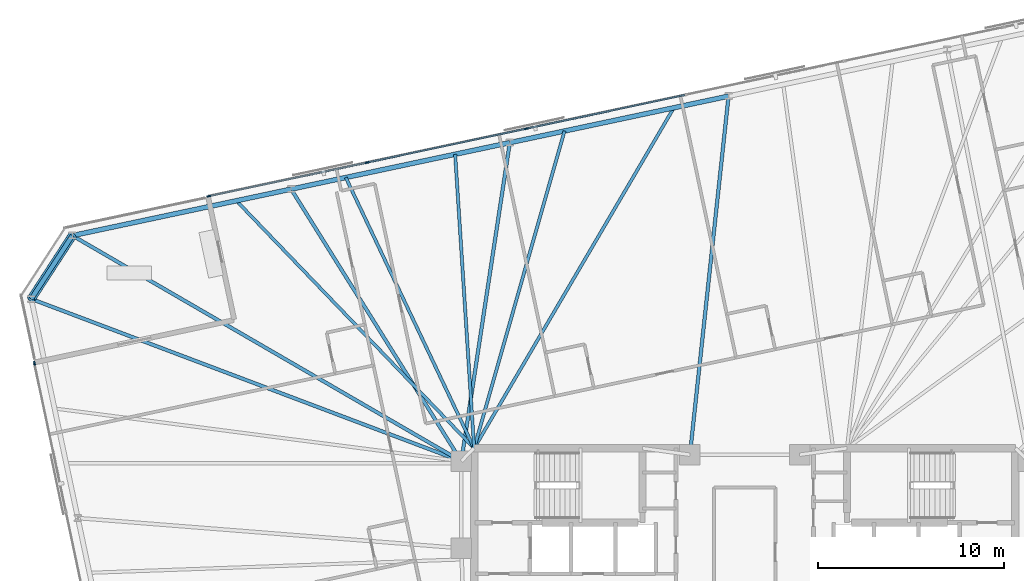
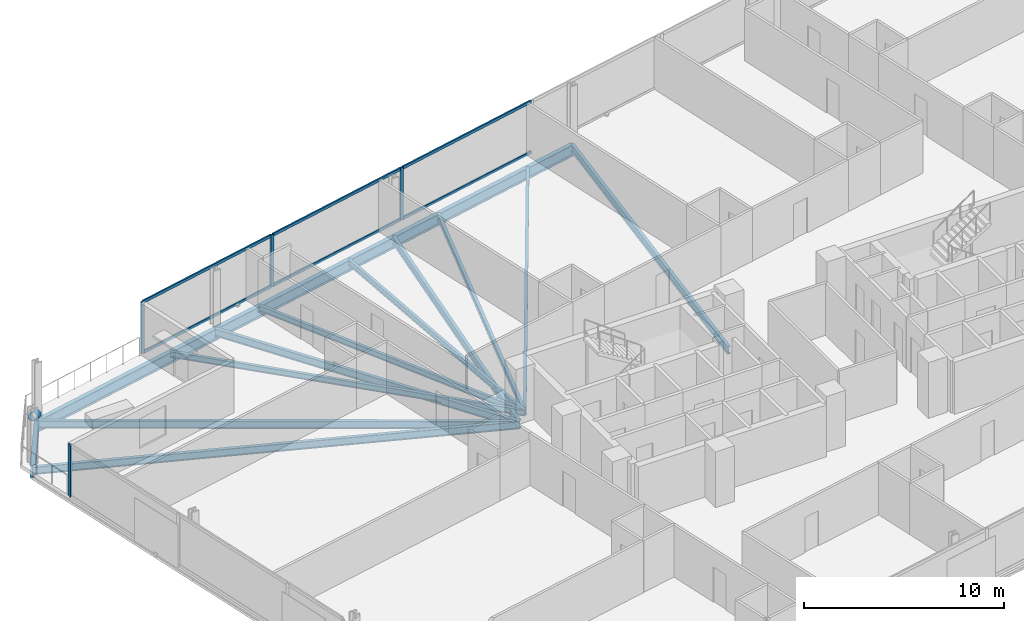
# One storey, part 10 of 20: 14 beams, 11 members, 2 elements without a shape of their own.
"""IFC4 building model written with IfcOpenShell, lengths in metres."""

import ifcopenshell
import ifcopenshell.guid

model = None  # the IFC model being written
_history = None  # IfcOwnerHistory: only IFC2X3 demands one
_inside = {}  # id of a spatial element -> (the spatial element, [elements in it])
_under = {}  # id of a project, library or spatial element -> (it, [spatial elements below it])
_declared = {}  # id of a project -> (the project, [libraries it declares])
_typed = {}  # id of a type object -> (the type object, [elements of that type])
_made_of = {}  # id of a material, layer set ... -> (it, [elements and type objects made of it])


def new_model(schema):
    """Start an empty IFC model of exactly this schema.

    Asked for "IFC4X3", IfcOpenShell would pick the latest addendum, in which some entities
    have other attributes; the version numbers below select the first issue.
    IFC2X3 requires an IfcOwnerHistory on every rooted entity: one is made here for all.
    """
    global model, _history
    if schema == "IFC4X3":
        model = ifcopenshell.file(schema_version=(4, 3, 0, 0))
    else:
        model = ifcopenshell.file(schema=schema)
    _inside.clear()
    _under.clear()
    _declared.clear()
    _typed.clear()
    _made_of.clear()
    _history = None
    if model.schema == "IFC2X3":
        org = make("IfcOrganization", Name="unknown")
        user = make(
            "IfcPersonAndOrganization",
            ThePerson=make("IfcPerson", FamilyName="unknown"),
            TheOrganization=org,
        )
        app = make(
            "IfcApplication",
            ApplicationDeveloper=org,
            Version="unknown",
            ApplicationFullName="unknown",
            ApplicationIdentifier="unknown",
        )
        _history = make(
            "IfcOwnerHistory",
            OwningUser=user,
            OwningApplication=app,
            ChangeAction="ADDED",
            CreationDate=0,
        )
    return model


def make(cls, **values):
    """One entity of the class cls with the attributes given. An attribute that is None is left unset."""
    return model.create_entity(
        cls, **{name: value for name, value in values.items() if value is not None}
    )


def rooted(cls, **values):
    """An entity with a GlobalId (a new one), such as an element, a storey or a relation."""
    return make(cls, GlobalId=ifcopenshell.guid.new(), OwnerHistory=_history, **values)


def si_unit(unit_type, name, prefix=None):
    """IfcSIUnit, for example si_unit("LENGTHUNIT", "METRE", prefix="MILLI")."""
    return make("IfcSIUnit", UnitType=unit_type, Prefix=prefix, Name=name)


def assignment(units):
    """IfcUnitAssignment: the units of a project."""
    return None if units is None else make("IfcUnitAssignment", Units=units)


def point(xyz):
    """IfcCartesianPoint."""
    return None if xyz is None else make("IfcCartesianPoint", Coordinates=xyz)


def direction(xyz):
    """IfcDirection."""
    return None if xyz is None else make("IfcDirection", DirectionRatios=xyz)


def frame(location, z_axis=None, x_axis=None):
    """IfcAxis2Placement3D, a coordinate frame: its origin and axes. An axis left out is left unset."""
    return make(
        "IfcAxis2Placement3D",
        Location=point(location),
        Axis=direction(z_axis),
        RefDirection=direction(x_axis),
    )


def frame_2d(location, x_axis=None):
    """IfcAxis2Placement2D, a coordinate frame in the plane: its origin and x axis."""
    return make(
        "IfcAxis2Placement2D", Location=point(location), RefDirection=direction(x_axis)
    )


def origin():
    """The frame at (0, 0, 0) with its axes left unset."""
    return frame((0.0, 0.0, 0.0))


def origin_2d():
    """The frame at (0, 0) in the plane with its x axis left unset."""
    return frame_2d((0.0, 0.0))


def place(relative_to, where):
    """IfcLocalPlacement: puts the frame where relative to a parent placement (None: the world)."""
    return make(
        "IfcLocalPlacement", PlacementRelTo=relative_to, RelativePlacement=where
    )


def context(
    kind, dimensions, precision=None, world=None, true_north=None, identifier=None
):
    """IfcGeometricRepresentationContext, for example the 3D "Model" context."""
    return make(
        "IfcGeometricRepresentationContext",
        ContextIdentifier=identifier,
        ContextType=kind,
        CoordinateSpaceDimension=dimensions,
        Precision=precision,
        WorldCoordinateSystem=world,
        TrueNorth=true_north,
    )


def subcontext(parent, identifier, kind, view, scale=None):
    """IfcGeometricRepresentationSubContext, for example "Body" below "Model"."""
    return make(
        "IfcGeometricRepresentationSubContext",
        ContextIdentifier=identifier,
        ContextType=kind,
        ParentContext=parent,
        TargetScale=scale,
        TargetView=view,
    )


def project(units=None, contexts=None):
    """IfcProject with its units and contexts."""
    return rooted(
        "IfcProject",
        Name="project",
        RepresentationContexts=contexts,
        UnitsInContext=assignment(units),
    )


def spatial(cls, under=None, at=None, **own):
    """A site, building, storey or space (cls), placed at a placement, below another one or the project."""
    s = rooted(cls, ObjectPlacement=at, **own)
    if under is not None:
        _under.setdefault(under.id(), (under, []))[1].append(s)
    return s


def profile(cls, at=None, kind="AREA", **sizes):
    """A parametric profile (cls). Its sizes go by their IFC names, for example OverallWidth=200.0."""
    return make(cls, ProfileType=kind, Position=at, **sizes)


def rectangle(**sizes):
    """IfcRectangleProfileDef."""
    return profile("IfcRectangleProfileDef", **sizes)


def hollow_circle(**sizes):
    """IfcCircleHollowProfileDef."""
    return profile("IfcCircleHollowProfileDef", **sizes)


def i_section(**sizes):
    """IfcIShapeProfileDef."""
    return profile("IfcIShapeProfileDef", **sizes)


def extrude(swept, where, along, depth):
    """IfcExtrudedAreaSolid: the profile swept, set in the frame where, extruded along a direction by depth."""
    return make(
        "IfcExtrudedAreaSolid",
        SweptArea=swept,
        Position=where,
        ExtrudedDirection=direction(along),
        Depth=depth,
    )


def shape(context_of_items, identifier, shape_type, items):
    """IfcShapeRepresentation: the items that make up one representation, for example the "Body"."""
    return make(
        "IfcShapeRepresentation",
        ContextOfItems=context_of_items,
        RepresentationIdentifier=identifier,
        RepresentationType=shape_type,
        Items=items,
    )


def material(Name=None, Category=None):
    """IfcMaterial."""
    return make("IfcMaterial", Name=Name, Category=Category)


def material_profile(
    of_material, cross_section, Name=None, Category=None, Priority=None
):
    """IfcMaterialProfile: a cross section and its material."""
    return make(
        "IfcMaterialProfile",
        Name=Name,
        Material=of_material,
        Profile=cross_section,
        Priority=Priority,
        Category=Category,
    )


def profile_set(profiles, Name=None, composite=None):
    """IfcMaterialProfileSet."""
    return make(
        "IfcMaterialProfileSet",
        Name=Name,
        MaterialProfiles=profiles,
        CompositeProfile=composite,
    )


def made_of(thing, what):
    """Note that an element or type object is made of a material, layer set ...; save() writes the relation."""
    if what is not None:
        _made_of.setdefault(what.id(), (what, []))[1].append(thing)
    return thing


def type_object(cls, material=None, **own):
    """A type object (cls), such as IfcWallType, which elements share."""
    return made_of(rooted(cls, **own), material)


def element(
    cls,
    number,
    at=None,
    inside=None,
    cuts=None,
    type_object=None,
    material=None,
    context=None,
    identifier="Body",
    shape_type=None,
    held_by="IfcProductDefinitionShape",
    body=None,
    shapes=None,
    **own,
):
    """One element of the class cls, such as IfcWall. Its Tag is "e" and its number.

    at: its placement. inside: the storey or other place that contains it. cuts: it is an
    opening in that element (IfcRelVoidsElement). A single representation is given by context,
    identifier, shape_type and body (its items); several are given by shapes. held_by: the class
    of the entity that holds the representations. save() writes the other relations.
    """
    e = rooted(cls, Tag="e%d" % number, ObjectPlacement=at, **own)
    if body is not None:
        shapes = [shape(context, identifier, shape_type, body)]
    if shapes is not None:
        e.Representation = make(held_by, Representations=shapes)
    if inside is not None:
        _inside.setdefault(inside.id(), (inside, []))[1].append(e)
    if cuts is not None:
        rooted(
            "IfcRelVoidsElement", RelatingBuildingElement=cuts, RelatedOpeningElement=e
        )
    if type_object is not None:
        _typed.setdefault(type_object.id(), (type_object, []))[1].append(e)
    return made_of(e, material)


def aggregate(whole, parts):
    """IfcRelAggregates: a whole, such as a stair, and the parts it consists of."""
    return rooted("IfcRelAggregates", RelatingObject=whole, RelatedObjects=parts)


def save(model, path):
    """Write the relations noted so far, then the file.

    IfcRelAggregates (storeys below a building ...), IfcRelContainedInSpatialStructure (elements
    in a storey), IfcRelDefinesByType, IfcRelAssociatesMaterial and IfcRelDeclares: one each for
    every whole, place, type object, material and project.
    """
    for whole, parts in _under.values():
        aggregate(whole, parts)
    for where, things in _inside.values():
        rooted(
            "IfcRelContainedInSpatialStructure",
            RelatedElements=things,
            RelatingStructure=where,
        )
    for kind, things in _typed.values():
        rooted("IfcRelDefinesByType", RelatedObjects=things, RelatingType=kind)
    for what, things in _made_of.values():
        rooted("IfcRelAssociatesMaterial", RelatedObjects=things, RelatingMaterial=what)
    for by, libraries in _declared.values():
        rooted("IfcRelDeclares", RelatingContext=by, RelatedDefinitions=libraries)
    model.write(path)


model = new_model("IFC4")

# Units and contexts
model_context = context("Model", 3, precision=1e-05, world=origin(), true_north=direction((0.0, 1.0)))
body_context = subcontext(model_context, "Body", "Model", "MODEL_VIEW")
ifc_project = project(units=[si_unit("LENGTHUNIT", "METRE"), si_unit("AREAUNIT", "SQUARE_METRE"), si_unit("VOLUMEUNIT", "CUBIC_METRE"), si_unit("PLANEANGLEUNIT", "RADIAN"), si_unit("MASSUNIT", "GRAM", prefix="KILO")], contexts=[model_context])

# Site, building, storey
site_placement = place(None, origin())
site = spatial("IfcSite", under=ifc_project, at=site_placement, CompositionType="ELEMENT")
building_placement = place(site_placement, origin())
building = spatial("IfcBuilding", under=site, at=building_placement, Name="Menara Jurai Vektor", CompositionType="ELEMENT")
storey_placement = place(building_placement, frame((0.0, 0.0, 175.199951171875)))
storey = spatial("IfcBuildingStorey", under=building, at=storey_placement, Name="L45", CompositionType="ELEMENT", Elevation=175.199951171875)

# Curtain wall, member
ifc_material_1 = material(Name="Anodised Pale Aluminium & Low-E Double Glazing", Category="aluminium")
curtain_wall_type = type_object("IfcCurtainWallType", Name="CW-BLK3", PredefinedType="NOTDEFINED", material=ifc_material_1)
curtain_wall_1_placement = place(storey_placement, origin())
curtain_wall_1 = element("IfcCurtainWall", 1, at=curtain_wall_1_placement, inside=storey, type_object=curtain_wall_type, Name="Unitised Curtain Wall L45 F03", PredefinedType="NOTDEFINED")
ifc_material_2 = material(Name="Anodised Pale Aluminium Mullion", Category="aluminium")
ifc_material_profile_1 = material_profile(ifc_material_2, rectangle(XDim=0.0849609375, YDim=0.205078125, at=origin_2d()), Name="ALU MUL 85x205")
ifc_profile_set_1 = profile_set([ifc_material_profile_1], Name="Anodised Pale Aluminium Mullion")
member_type_1 = type_object("IfcMemberType", Name="CW-BLK3-MUL", PredefinedType="MULLION", material=ifc_profile_set_1)
member_1_placement = place(storey_placement, frame((-38.21533203125, 10.172119140625, 0.0), z_axis=(0.0, 0.0, 1.0), x_axis=(0.978148052942, 0.207909563335, 0.0)))
member_1 = element("IfcMember", 2, at=member_1_placement, type_object=member_type_1, Name="CW-03 mullion 1", PredefinedType="MULLION", context=body_context, shape_type="SweptSolid", body=[
    extrude(rectangle(XDim=0.0849609375, YDim=0.205078125, at=origin_2d()), origin(), (0.0, 0.0, 1.0), 3.175048828125),
])
aggregate(curtain_wall_1, [member_1])

# Curtain wall, members
curtain_wall_2_placement = place(storey_placement, origin())
curtain_wall_2 = element("IfcCurtainWall", 3, at=curtain_wall_2_placement, inside=storey, type_object=curtain_wall_type, Name="Unitised Curtain Wall L45 F09", PredefinedType="NOTDEFINED")
member_2_placement = place(storey_placement, frame((-11.75439453125, 22.7919921875, 0.0), z_axis=(0.0, 0.0, 1.0), x_axis=(0.207911336439, -0.978147676059, 0.0)))
member_2 = element("IfcMember", 4, at=member_2_placement, type_object=member_type_1, Name="CW-03 mullion 5", PredefinedType="MULLION", context=body_context, shape_type="SweptSolid", body=[
    extrude(rectangle(XDim=0.0849609375, YDim=0.205078125, at=origin_2d()), origin(), (0.0, 0.0, 1.0), 3.175048828125),
])
member_3_placement = place(storey_placement, frame((-20.31640625, 20.97216796875, 0.0), z_axis=(0.0, 0.0, 1.0), x_axis=(0.207911336439, -0.978147676059, 0.0)))
member_3 = element("IfcMember", 5, at=member_3_placement, type_object=member_type_1, Name="CW-03 mullion 6", PredefinedType="MULLION", context=body_context, shape_type="SweptSolid", body=[
    extrude(rectangle(XDim=0.0849609375, YDim=0.205078125, at=origin_2d()), origin(), (0.0, 0.0, 1.0), 3.175048828125),
])
member_4_placement = place(storey_placement, frame((-28.8369140625, 19.1611328125, 0.0), z_axis=(0.0, 0.0, 1.0), x_axis=(0.207911336439, -0.978147676059, 0.0)))
member_4 = element("IfcMember", 6, at=member_4_placement, type_object=member_type_1, Name="CW-03 mullion 7", PredefinedType="MULLION", context=body_context, shape_type="SweptSolid", body=[
    extrude(rectangle(XDim=0.0849609375, YDim=0.205078125, at=origin_2d()), origin(), (0.0, 0.0, 1.0), 3.175048828125),
])
ifc_material_3 = material(Name="Anodised Pale Aluminium Transom", Category="aluminium")
ifc_material_profile_2 = material_profile(ifc_material_3, rectangle(XDim=0.0849609375, YDim=0.175048828125, at=origin_2d()), Name="ALU TRN 85x175")
ifc_profile_set_2 = profile_set([ifc_material_profile_2], Name="Anodised Pale Aluminium Transom")
member_type_2 = type_object("IfcMemberType", Name="CW-BLK3-TRN", PredefinedType="USERDEFINED", material=ifc_profile_set_2)
member_5_placement = place(storey_placement, frame((-3.23388671875, 24.60302734375, 0.04248046875), z_axis=(-0.978146895225, -0.20791500995, 0.0), x_axis=(0.20791500995, -0.978146895225, 0.0)))
member_5 = element("IfcMember", 7, at=member_5_placement, type_object=member_type_2, Name="CW-03 transom 4.1", ObjectType="TRANSOM", PredefinedType="USERDEFINED", context=body_context, shape_type="SweptSolid", body=[
    extrude(rectangle(XDim=0.0849609375, YDim=0.175048828125, at=origin_2d()), origin(), (0.0, 0.0, 1.0), 8.668212890625),
])
member_6_placement = place(storey_placement, frame((-3.23388671875, 24.60302734375, 3.132568359375), z_axis=(-0.978146895225, -0.20791500995, 0.0), x_axis=(0.20791500995, -0.978146895225, 0.0)))
member_6 = element("IfcMember", 8, at=member_6_placement, type_object=member_type_2, Name="CW-03 transom 4.2", ObjectType="TRANSOM", PredefinedType="USERDEFINED", context=body_context, shape_type="SweptSolid", body=[
    extrude(rectangle(XDim=0.0849609375, YDim=0.175048828125, at=origin_2d()), origin(), (0.0, 0.0, 1.0), 8.668212890625),
])
member_7_placement = place(storey_placement, frame((-11.7958984375, 22.783203125, 0.04248046875), z_axis=(-0.978146895225, -0.20791500995, 0.0), x_axis=(0.20791500995, -0.978146895225, 0.0)))
member_7 = element("IfcMember", 9, at=member_7_placement, type_object=member_type_2, Name="CW-03 transom 5.1", ObjectType="TRANSOM", PredefinedType="USERDEFINED", context=body_context, shape_type="SweptSolid", body=[
    extrude(rectangle(XDim=0.0849609375, YDim=0.175048828125, at=origin_2d()), origin(), (0.0, 0.0, 1.0), 8.668212890625),
])
member_8_placement = place(storey_placement, frame((-11.7958984375, 22.783203125, 3.132568359375), z_axis=(-0.978146895225, -0.20791500995, 0.0), x_axis=(0.20791500995, -0.978146895225, 0.0)))
member_8 = element("IfcMember", 10, at=member_8_placement, type_object=member_type_2, Name="CW-03 transom 5.2", ObjectType="TRANSOM", PredefinedType="USERDEFINED", context=body_context, shape_type="SweptSolid", body=[
    extrude(rectangle(XDim=0.0849609375, YDim=0.175048828125, at=origin_2d()), origin(), (0.0, 0.0, 1.0), 8.668212890625),
])
member_9_placement = place(storey_placement, frame((-20.35791015625, 20.96337890625, 0.04248046875), z_axis=(-0.97814611688, -0.20791867168, 0.0), x_axis=(0.20791867168, -0.97814611688, 0.0)))
member_9 = element("IfcMember", 11, at=member_9_placement, type_object=member_type_2, Name="CW-03 transom 6.1", ObjectType="TRANSOM", PredefinedType="USERDEFINED", context=body_context, shape_type="SweptSolid", body=[
    extrude(rectangle(XDim=0.0849609375, YDim=0.175048828125, at=origin_2d()), origin(), (0.0, 0.0, 1.0), 8.625732421875),
])
member_10_placement = place(storey_placement, frame((-20.35791015625, 20.96337890625, 3.132568359375), z_axis=(-0.97814611688, -0.20791867168, 0.0), x_axis=(0.20791867168, -0.97814611688, 0.0)))
member_10 = element("IfcMember", 12, at=member_10_placement, type_object=member_type_2, Name="CW-03 transom 6.2", ObjectType="TRANSOM", PredefinedType="USERDEFINED", context=body_context, shape_type="SweptSolid", body=[
    extrude(rectangle(XDim=0.0849609375, YDim=0.175048828125, at=origin_2d()), origin(), (0.0, 0.0, 1.0), 8.625732421875),
])
aggregate(curtain_wall_2, [member_2, member_3, member_4, member_5, member_6, member_7, member_8, member_9, member_10])

# Beams
ifc_material_4 = material(Name="Steel S355", Category="steel")
ifc_material_profile_3 = material_profile(ifc_material_4, i_section(OverallWidth=0.19091796875, OverallDepth=0.4599609375, WebThickness=0.010009765625, FlangeThickness=0.01611328125, FilletRadius=0.010009765625, at=origin_2d()), Name="UKB 457x191x82")
ifc_profile_set_3 = profile_set([ifc_material_profile_3], Name="Steel S355")
beam_type_1 = type_object("IfcBeamType", Name="STR-BM-457", PredefinedType="BEAM", material=ifc_profile_set_3)
beam_1_placement = place(storey_placement, frame((-0.87158203125, 24.54296875, -0.454833984375), z_axis=(-0.107107067506, -0.994247492373, 0.0), x_axis=(0.994247492373, -0.107107067506, 0.0)))
element("IfcBeam", 13, at=beam_1_placement, inside=storey, type_object=beam_type_1, Name="Radial Floor Girder L45-N3", PredefinedType="BEAM", context=body_context, shape_type="SweptSolid", body=[
    extrude(i_section(OverallWidth=0.19091796875, OverallDepth=0.4599609375, WebThickness=0.010009765625, FlangeThickness=0.01611328125, FilletRadius=0.010009765625, at=origin_2d()), origin(), (0.0, 0.0, 1.0), 19.404541015625),
])
beam_2_placement = place(storey_placement, frame((-12.639892578125, 22.04150390625, -0.454833984375), z_axis=(-0.150532344322, -0.988605084608, 0.0), x_axis=(0.988605084608, -0.150532344322, 0.0)))
element("IfcBeam", 14, at=beam_2_placement, inside=storey, type_object=beam_type_1, Name="Radial Floor Girder L45-N4", PredefinedType="BEAM", context=body_context, shape_type="SweptSolid", body=[
    extrude(i_section(OverallWidth=0.19091796875, OverallDepth=0.4599609375, WebThickness=0.010009765625, FlangeThickness=0.01611328125, FilletRadius=0.010009765625, at=origin_2d()), origin(), (0.0, 0.0, 1.0), 17.339111328125),
])
beam_3_placement = place(storey_placement, frame((-24.408203125, 19.5400390625, -0.454833984375), z_axis=(0.53033693414, -0.847786963976, 0.0), x_axis=(0.847786963976, 0.53033693414, 0.0)))
element("IfcBeam", 15, at=beam_3_placement, inside=storey, type_object=beam_type_1, Name="Radial Floor Girder L45-N5", PredefinedType="BEAM", context=body_context, shape_type="SweptSolid", body=[
    extrude(i_section(OverallWidth=0.19091796875, OverallDepth=0.4599609375, WebThickness=0.010009765625, FlangeThickness=0.01611328125, FilletRadius=0.010009765625, at=origin_2d()), origin(), (0.0, 0.0, 1.0), 17.2685546875),
])
beam_4_placement = place(storey_placement, frame((-36.17626953125, 17.038818359375, -0.454833984375), z_axis=(0.86500105453, -0.50177004261, 0.0), x_axis=(0.50177004261, 0.86500105453, 0.0)))
element("IfcBeam", 16, at=beam_4_placement, inside=storey, type_object=beam_type_1, Name="Radial Floor Girder L45-N6", PredefinedType="BEAM", context=body_context, shape_type="SweptSolid", body=[
    extrude(i_section(OverallWidth=0.19091796875, OverallDepth=0.4599609375, WebThickness=0.010009765625, FlangeThickness=0.01611328125, FilletRadius=0.010009765625, at=origin_2d()), origin(), (0.0, 0.0, 1.0), 24.192138671875),
])
beam_5_placement = place(storey_placement, frame((-38.388671875, 13.632080078125, -0.454833984375), z_axis=(0.935593658977, -0.353078610626, 0.0), x_axis=(0.353078610626, 0.935593658977, 0.0)))
element("IfcBeam", 17, at=beam_5_placement, inside=storey, type_object=beam_type_1, Name="Radial Floor Girder L45-W1", PredefinedType="BEAM", context=body_context, shape_type="SweptSolid", body=[
    extrude(i_section(OverallWidth=0.19091796875, OverallDepth=0.4599609375, WebThickness=0.010009765625, FlangeThickness=0.01611328125, FilletRadius=0.010009765625, at=origin_2d()), origin(), (0.0, 0.0, 1.0), 24.7314453125),
])

# Member
ifc_material_5 = material(Name="Steel S460", Category="steel")
ifc_material_profile_4 = material_profile(ifc_material_5, hollow_circle(Radius=0.228515625, WallThickness=0.01611328125, at=origin_2d()), Name="CHS 457x16")
ifc_profile_set_4 = profile_set([ifc_material_profile_4], Name="Steel S460")
member_type_3 = type_object("IfcMemberType", Name="STR-BR-457", PredefinedType="BRACE", material=ifc_profile_set_4)
member_11_placement = place(storey_placement, frame((-36.17626953125, 17.03857421875, 0.150146484375), z_axis=(-0.454900425841, -0.700422163072, 0.549976723186), x_axis=(0.838648168484, -0.544673525608, 0.0)))
element("IfcMember", 18, at=member_11_placement, inside=storey, type_object=member_type_3, Name="Exoskeleton Corner Brace L45-3", PredefinedType="BRACE", context=body_context, shape_type="SweptSolid", body=[
    extrude(hollow_circle(Radius=0.228515625, WallThickness=0.01611328125, at=origin_2d()), origin(), (0.0, 0.0, 1.0), 4.863525390625),
])

# Beams
ifc_material_profile_5 = material_profile(ifc_material_4, i_section(OverallWidth=0.172119140625, OverallDepth=0.35498046875, WebThickness=0.007080078125, FlangeThickness=0.011962890625, FilletRadius=0.010009765625, at=origin_2d()), Name="UKB 356x171x51")
ifc_profile_set_5 = profile_set([ifc_material_profile_5], Name="Steel S355")
beam_type_2 = type_object("IfcBeamType", Name="STR-JS-356", PredefinedType="JOIST", material=ifc_profile_set_5)
beam_6_placement = place(storey_placement, frame((-3.813720703125, 23.91748046875, -0.40234375), z_axis=(-0.506019514775, -0.862522029091, 0.0), x_axis=(0.862522029091, -0.506019514775, 0.0)))
element("IfcBeam", 19, at=beam_6_placement, inside=storey, type_object=beam_type_2, Name="Radial Secondary Floor Joist L45-JS22", PredefinedType="JOIST", context=body_context, shape_type="SweptSolid", body=[
    extrude(i_section(OverallWidth=0.172119140625, OverallDepth=0.35498046875, WebThickness=0.007080078125, FlangeThickness=0.011962890625, FilletRadius=0.010009765625, at=origin_2d()), origin(), (0.0, 0.0, 1.0), 21.237060546875),
])
beam_7_placement = place(storey_placement, frame((-9.69775390625, 22.666748046875, -0.40234375), z_axis=(-0.273997863708, -0.961730300387, 0.0), x_axis=(0.961730300387, -0.273997863708, 0.0)))
element("IfcBeam", 20, at=beam_7_placement, inside=storey, type_object=beam_type_2, Name="Radial Secondary Floor Joist L45-JS23", PredefinedType="JOIST", context=body_context, shape_type="SweptSolid", body=[
    extrude(i_section(OverallWidth=0.172119140625, OverallDepth=0.35498046875, WebThickness=0.007080078125, FlangeThickness=0.011962890625, FilletRadius=0.010009765625, at=origin_2d()), origin(), (0.0, 0.0, 1.0), 17.745849609375),
])
beam_8_placement = place(storey_placement, frame((-15.581787109375, 21.416015625, -0.40234375), z_axis=(0.064466897528, -0.997919846041, 0.0), x_axis=(0.997919846041, 0.064466897528, 0.0)))
element("IfcBeam", 21, at=beam_8_placement, inside=storey, type_object=beam_type_2, Name="Radial Secondary Floor Joist L45-JS24", PredefinedType="JOIST", context=body_context, shape_type="SweptSolid", body=[
    extrude(i_section(OverallWidth=0.172119140625, OverallDepth=0.35498046875, WebThickness=0.007080078125, FlangeThickness=0.011962890625, FilletRadius=0.010009765625, at=origin_2d()), origin(), (0.0, 0.0, 1.0), 15.848876953125),
])
beam_9_placement = place(storey_placement, frame((-21.466064453125, 20.165283203125, -0.40234375), z_axis=(0.428426167333, -0.903576792057, 0.0), x_axis=(0.903576792057, 0.428426167333, 0.0)))
element("IfcBeam", 22, at=beam_9_placement, inside=storey, type_object=beam_type_2, Name="Radial Secondary Floor Joist L45-JS25", PredefinedType="JOIST", context=body_context, shape_type="SweptSolid", body=[
    extrude(i_section(OverallWidth=0.172119140625, OverallDepth=0.35498046875, WebThickness=0.007080078125, FlangeThickness=0.011962890625, FilletRadius=0.010009765625, at=origin_2d()), origin(), (0.0, 0.0, 1.0), 16.119384765625),
])
beam_10_placement = place(storey_placement, frame((-27.35009765625, 18.914794921875, -0.40234375), z_axis=(0.692755307066, -0.721172714772, 0.0), x_axis=(0.721172714772, 0.692755307066, 0.0)))
element("IfcBeam", 23, at=beam_10_placement, inside=storey, type_object=beam_type_2, Name="Radial Secondary Floor Joist L45-JS26", PredefinedType="JOIST", context=body_context, shape_type="SweptSolid", body=[
    extrude(i_section(OverallWidth=0.172119140625, OverallDepth=0.35498046875, WebThickness=0.007080078125, FlangeThickness=0.011962890625, FilletRadius=0.010009765625, at=origin_2d()), origin(), (0.0, 0.0, 1.0), 18.462646484375),
])
ifc_material_profile_6 = material_profile(ifc_material_5, i_section(OverallWidth=0.256103515625, OverallDepth=0.693115234375, WebThickness=0.013916015625, FlangeThickness=0.02392578125, FilletRadius=0.014892578125, at=origin_2d()), Name="UKB 686x254x170")
ifc_profile_set_6 = profile_set([ifc_material_profile_6], Name="Steel S460")
beam_type_3 = type_object("IfcBeamType", Name="STR-SP-686", PredefinedType="SPANDREL", material=ifc_profile_set_6)
for number, where, z_axis, x_axis, name in (
    (24, (-0.87158203125, 24.54296875, -0.571533203125), (-0.978147039247, -0.207914332389, 0.0), (0.207914332389, -0.978147039247, 0.0), "Exoskeleton Spandrel Beam L45-13"),
    (25, (-12.639892578125, 22.04150390625, -0.571533203125), (-0.978147039247, -0.207914332389, 0.0), (0.207914332389, -0.978147039247, 0.0), "Exoskeleton Spandrel Beam L45-14"),
):
    element("IfcBeam", number, at=place(storey_placement, frame(where, z_axis=z_axis, x_axis=x_axis)), inside=storey, type_object=beam_type_3, Name=name, PredefinedType="SPANDREL", context=body_context, shape_type="SweptSolid", body=[
        extrude(i_section(OverallWidth=0.256103515625, OverallDepth=0.693115234375, WebThickness=0.013916015625, FlangeThickness=0.02392578125, FilletRadius=0.014892578125, at=origin_2d()), origin(), (0.0, 0.0, 1.0), 12.03125),
    ])
beam_11_placement = place(storey_placement, frame((-24.408203125, 19.5400390625, -0.571533203125), z_axis=(-0.978150288855, -0.207899043801, 0.0), x_axis=(0.207899043801, -0.978150288855, 0.0)))
element("IfcBeam", 26, at=beam_11_placement, inside=storey, type_object=beam_type_3, Name="Exoskeleton Spandrel Beam L45-15", PredefinedType="SPANDREL", context=body_context, shape_type="SweptSolid", body=[
    extrude(i_section(OverallWidth=0.256103515625, OverallDepth=0.693115234375, WebThickness=0.013916015625, FlangeThickness=0.02392578125, FilletRadius=0.014892578125, at=origin_2d()), origin(), (0.0, 0.0, 1.0), 12.031005859375),
])
beam_12_placement = place(storey_placement, frame((-36.17626953125, 17.038818359375, -0.571533203125), z_axis=(-0.544646071268, -0.838665998507, 0.0), x_axis=(0.838665998507, -0.544646071268, 0.0)))
element("IfcBeam", 27, at=beam_12_placement, inside=storey, type_object=beam_type_3, Name="Exoskeleton Spandrel Beam L45-16", PredefinedType="SPANDREL", context=body_context, shape_type="SweptSolid", body=[
    extrude(i_section(OverallWidth=0.256103515625, OverallDepth=0.693115234375, WebThickness=0.013916015625, FlangeThickness=0.02392578125, FilletRadius=0.014892578125, at=origin_2d()), origin(), (0.0, 0.0, 1.0), 4.06201171875),
])

save(model, "model.ifc")
